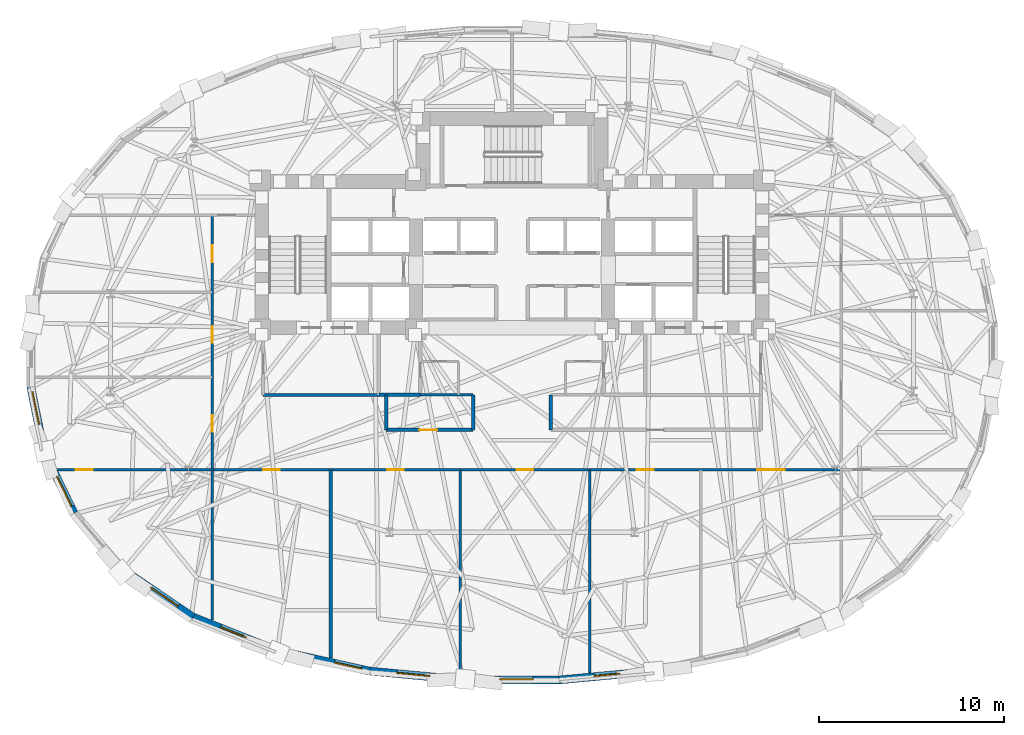
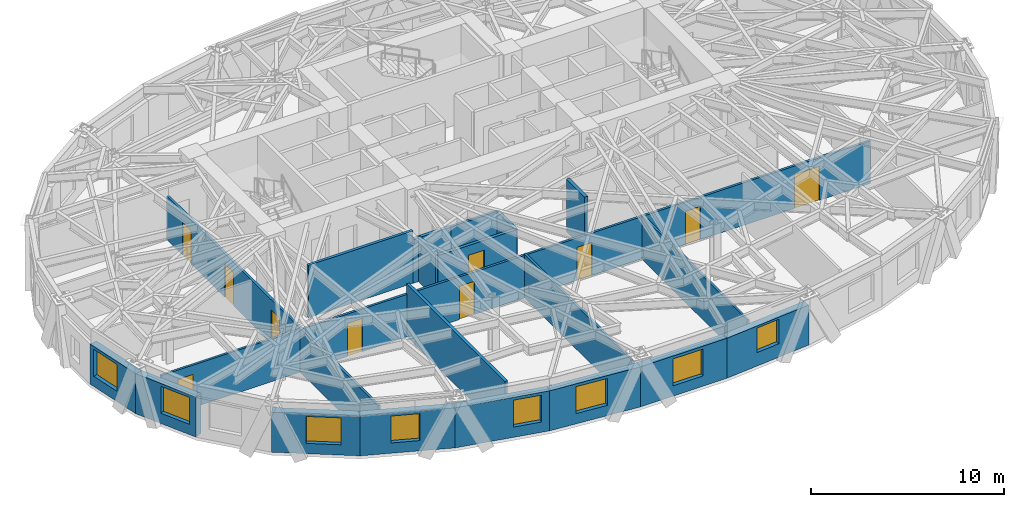
# One storey, part 6 of 14: 21 walls, 10 doors, 8 windows, 18 openings.
"""IFC4 building model written with IfcOpenShell, lengths in metres."""

from ifc_helpers import new_model, si_unit, direction, frame, frame_2d, origin, place, context, subcontext, project, spatial, rectangle, extrude, material, layer, layer_set, type_object, element, fill, save


model = new_model("IFC4")

# Units and contexts
model_context = context("Model", 3, precision=1e-05, world=origin(), true_north=direction((0.0, 1.0)))
body_context = subcontext(model_context, "Body", "Model", "MODEL_VIEW")
ifc_project = project(units=[si_unit("LENGTHUNIT", "METRE"), si_unit("AREAUNIT", "SQUARE_METRE"), si_unit("VOLUMEUNIT", "CUBIC_METRE"), si_unit("PLANEANGLEUNIT", "RADIAN"), si_unit("MASSUNIT", "GRAM", prefix="KILO")], contexts=[model_context])

# Site, building, storey
site_placement = place(None, origin())
site = spatial("IfcSite", under=ifc_project, at=site_placement, CompositionType="ELEMENT")
building_placement = place(site_placement, origin())
building = spatial("IfcBuilding", under=site, at=building_placement, Name="Keldmark Tower", CompositionType="ELEMENT")
storey_placement = place(building_placement, frame((0.0, 0.0, 121.10009765625)))
storey = spatial("IfcBuildingStorey", under=building, at=storey_placement, Name="L32", CompositionType="ELEMENT", Elevation=121.10009765625)

# Wall, openings, doors
ifc_material_1 = material(Name="Acoustic Double-Layer Gypsum Corridor Partition", Category="gypsum")
ifc_layer_1 = layer(ifc_material_1, 0.139892578125)
ifc_layer_set_1 = layer_set([ifc_layer_1], Name="Acoustic Double-Layer Gypsum Corridor Partition")
wall_type_1 = type_object("IfcWallType", Name="Acoustic Corridor Partition 140 mm", PredefinedType="PARTITIONING", material=ifc_layer_set_1)
wall_1_placement = place(storey_placement, frame((-16.199951171875, -6.199951171875, 0.0), z_axis=(0.0, 0.0, 1.0), x_axis=(1.0, 0.0, 0.0)))
wall_1 = element("IfcWall", 1, at=wall_1_placement, inside=storey, type_object=wall_type_1, Name="L32 Acoustic Corridor Partition 140 mm COR-S", PredefinedType="PARTITIONING", context=body_context, shape_type="SweptSolid", body=[
    extrude(rectangle(XDim=34.0, YDim=0.139892578125, at=frame_2d((17.0, 0.0))), origin(), (0.0, 0.0, 1.0), 2.68798828125),
])
opening_1_placement = place(wall_1_placement, frame((2.75, 0.0, 0.0)))
opening_1 = element("IfcOpeningElement", 2, at=opening_1_placement, cuts=wall_1, Name="Opening D-IN090", PredefinedType="OPENING", context=body_context, shape_type="SweptSolid", body=[
    extrude(rectangle(XDim=0.89990234375, YDim=2.10009765625, at=frame_2d((0.449951171875, 1.050048828125))), frame((0.0, 0.079833984375, 0.0), z_axis=(0.0, -1.0, 0.0), x_axis=(1.0, 0.0, 0.0)), (0.0, 0.0, 1.0), 0.159912109375),
])
opening_2_placement = place(wall_1_placement, frame((9.449951171875, 0.0, 0.0)))
opening_2 = element("IfcOpeningElement", 3, at=opening_2_placement, cuts=wall_1, Name="Opening D-IN090", PredefinedType="OPENING", context=body_context, shape_type="SweptSolid", body=[
    extrude(rectangle(XDim=0.89990234375, YDim=2.10009765625, at=frame_2d((0.449951171875, 1.050048828125))), frame((0.0, 0.079833984375, 0.0), z_axis=(0.0, -1.0, 0.0), x_axis=(1.0, 0.0, 0.0)), (0.0, 0.0, 1.0), 0.159912109375),
])
opening_3_placement = place(wall_1_placement, frame((16.449951171875, 0.0, 0.0)))
opening_3 = element("IfcOpeningElement", 4, at=opening_3_placement, cuts=wall_1, Name="Opening D-IN090", PredefinedType="OPENING", context=body_context, shape_type="SweptSolid", body=[
    extrude(rectangle(XDim=0.89990234375, YDim=2.10009765625, at=frame_2d((0.449951171875, 1.050048828125))), frame((0.0, 0.079833984375, 0.0), z_axis=(0.0, -1.0, 0.0), x_axis=(1.0, 0.0, 0.0)), (0.0, 0.0, 1.0), 0.159912109375),
])
opening_4_placement = place(wall_1_placement, frame((22.949951171875, 0.0, 0.0)))
opening_4 = element("IfcOpeningElement", 5, at=opening_4_placement, cuts=wall_1, Name="Opening D-IN090", PredefinedType="OPENING", context=body_context, shape_type="SweptSolid", body=[
    extrude(rectangle(XDim=0.89990234375, YDim=2.10009765625, at=frame_2d((0.449951171875, 1.050048828125))), frame((0.0, 0.079833984375, 0.0), z_axis=(0.0, -1.0, 0.0), x_axis=(1.0, 0.0, 0.0)), (0.0, 0.0, 1.0), 0.159912109375),
])
opening_5_placement = place(wall_1_placement, frame((29.449951171875, 0.0, 0.0)))
opening_5 = element("IfcOpeningElement", 6, at=opening_5_placement, cuts=wall_1, Name="Opening D-CF150", PredefinedType="OPENING", context=body_context, shape_type="SweptSolid", body=[
    extrude(rectangle(XDim=1.5, YDim=2.14990234375, at=frame_2d((0.75, 1.074951171875))), frame((0.0, 0.079833984375, 0.0), z_axis=(0.0, -1.0, 0.0), x_axis=(1.0, 0.0, 0.0)), (0.0, 0.0, 1.0), 0.159912109375),
])
ifc_material_2 = material(Name="Acoustic Timber and Tempered Glass Double Door", Category="wood")
door_type_1 = type_object("IfcDoorType", Name="Conference Double Door 1500x2150", OperationType="DOUBLE_DOOR_SINGLE_SWING", PredefinedType="DOOR", material=ifc_material_2)
door_1_placement = place(opening_5_placement, origin())
door_1 = element("IfcDoor", 7, at=door_1_placement, inside=storey, type_object=door_type_1, Name="L32 Conference Double Door 1500x2150 D-SR-5-L32", OperationType="DOUBLE_DOOR_SINGLE_SWING", OverallHeight=2.14990234375, OverallWidth=1.5, PredefinedType="DOOR", context=body_context, shape_type="SweptSolid", body=[
    extrude(rectangle(XDim=1.5, YDim=2.14990234375, at=frame_2d((0.75, 1.074951171875))), frame((0.0, 0.02490234375, 0.0), z_axis=(0.0, -1.0, 0.0), x_axis=(1.0, 0.0, 0.0)), (0.0, 0.0, 1.0), 0.050048828125),
])
fill(opening_5, door_1)
ifc_material_3 = material(Name="Stained American White Oak Veneer", Category="wood")
door_type_2 = type_object("IfcDoorType", Name="Interior Door 900x2100", OperationType="NOTDEFINED", PredefinedType="DOOR", material=ifc_material_3)
door_2_placement = place(opening_1_placement, origin())
door_2 = element("IfcDoor", 8, at=door_2_placement, inside=storey, type_object=door_type_2, Name="L32 Interior Door 900x2100 D-SR-1-L32", OperationType="SINGLE_SWING_LEFT", OverallHeight=2.10009765625, OverallWidth=0.89990234375, PredefinedType="DOOR", context=body_context, shape_type="SweptSolid", body=[
    extrude(rectangle(XDim=0.89990234375, YDim=2.10009765625, at=frame_2d((0.449951171875, 1.050048828125))), frame((0.0, 0.02490234375, 0.0), z_axis=(0.0, -1.0, 0.0), x_axis=(1.0, 0.0, 0.0)), (0.0, 0.0, 1.0), 0.050048828125),
])
fill(opening_1, door_2)
door_3_placement = place(opening_2_placement, origin())
door_3 = element("IfcDoor", 9, at=door_3_placement, inside=storey, type_object=door_type_2, Name="L32 Interior Door 900x2100 D-SR-2-L32", OperationType="SINGLE_SWING_RIGHT", OverallHeight=2.10009765625, OverallWidth=0.89990234375, PredefinedType="DOOR", context=body_context, shape_type="SweptSolid", body=[
    extrude(rectangle(XDim=0.89990234375, YDim=2.10009765625, at=frame_2d((0.449951171875, 1.050048828125))), frame((0.0, 0.02490234375, 0.0), z_axis=(0.0, -1.0, 0.0), x_axis=(1.0, 0.0, 0.0)), (0.0, 0.0, 1.0), 0.050048828125),
])
fill(opening_2, door_3)
door_4_placement = place(opening_3_placement, origin())
door_4 = element("IfcDoor", 10, at=door_4_placement, inside=storey, type_object=door_type_2, Name="L32 Interior Door 900x2100 D-SR-3-L32", OperationType="SINGLE_SWING_LEFT", OverallHeight=2.10009765625, OverallWidth=0.89990234375, PredefinedType="DOOR", context=body_context, shape_type="SweptSolid", body=[
    extrude(rectangle(XDim=0.89990234375, YDim=2.10009765625, at=frame_2d((0.449951171875, 1.050048828125))), frame((0.0, 0.02490234375, 0.0), z_axis=(0.0, -1.0, 0.0), x_axis=(1.0, 0.0, 0.0)), (0.0, 0.0, 1.0), 0.050048828125),
])
fill(opening_3, door_4)
door_5_placement = place(opening_4_placement, origin())
door_5 = element("IfcDoor", 11, at=door_5_placement, inside=storey, type_object=door_type_2, Name="L32 Interior Door 900x2100 D-SR-4-L32", OperationType="SINGLE_SWING_RIGHT", OverallHeight=2.10009765625, OverallWidth=0.89990234375, PredefinedType="DOOR", context=body_context, shape_type="SweptSolid", body=[
    extrude(rectangle(XDim=0.89990234375, YDim=2.10009765625, at=frame_2d((0.449951171875, 1.050048828125))), frame((0.0, 0.02490234375, 0.0), z_axis=(0.0, -1.0, 0.0), x_axis=(1.0, 0.0, 0.0)), (0.0, 0.0, 1.0), 0.050048828125),
])
fill(opening_4, door_5)

wall_2_placement = place(storey_placement, frame((-16.199951171875, -14.3271484375, 0.0), z_axis=(0.0, 0.0, 1.0), x_axis=(0.0, 1.0, 0.0)))
wall_2 = element("IfcWall", 12, at=wall_2_placement, inside=storey, type_object=wall_type_1, Name="L32 Acoustic Corridor Partition 140 mm COR-W", PredefinedType="PARTITIONING", context=body_context, shape_type="SweptSolid", body=[
    extrude(rectangle(XDim=21.877197265625, YDim=0.139892578125, at=frame_2d((10.9384765625, 0.0))), origin(), (0.0, 0.0, 1.0), 2.762939453125),
])
opening_6_placement = place(wall_2_placement, frame((10.177490234375, 0.0, 0.0)))
opening_6 = element("IfcOpeningElement", 13, at=opening_6_placement, cuts=wall_2, Name="Opening D-IN090", PredefinedType="OPENING", context=body_context, shape_type="SweptSolid", body=[
    extrude(rectangle(XDim=0.89990234375, YDim=2.10009765625, at=frame_2d((0.449951171875, 1.050048828125))), frame((0.0, 0.079833984375, 0.0), z_axis=(0.0, -1.0, 0.0), x_axis=(1.0, 0.0, 0.0)), (0.0, 0.0, 1.0), 0.159912109375),
])
opening_7_placement = place(wall_2_placement, frame((14.9775390625, 0.0, 0.0)))
opening_7 = element("IfcOpeningElement", 14, at=opening_7_placement, cuts=wall_2, Name="Opening D-IN090", PredefinedType="OPENING", context=body_context, shape_type="SweptSolid", body=[
    extrude(rectangle(XDim=0.89990234375, YDim=2.10009765625, at=frame_2d((0.449951171875, 1.050048828125))), frame((0.0, 0.079833984375, 0.0), z_axis=(0.0, -1.0, 0.0), x_axis=(1.0, 0.0, 0.0)), (0.0, 0.0, 1.0), 0.159912109375),
])
opening_8_placement = place(wall_2_placement, frame((19.3525390625, 0.0, 0.0)))
opening_8 = element("IfcOpeningElement", 15, at=opening_8_placement, cuts=wall_2, Name="Opening D-IN090", PredefinedType="OPENING", context=body_context, shape_type="SweptSolid", body=[
    extrude(rectangle(XDim=0.89990234375, YDim=2.10009765625, at=frame_2d((0.449951171875, 1.050048828125))), frame((0.0, 0.079833984375, 0.0), z_axis=(0.0, -1.0, 0.0), x_axis=(1.0, 0.0, 0.0)), (0.0, 0.0, 1.0), 0.159912109375),
])
door_6_placement = place(opening_6_placement, origin())
door_6 = element("IfcDoor", 16, at=door_6_placement, inside=storey, type_object=door_type_2, Name="L32 Interior Door 900x2100 D-WR-1-L32", OperationType="SINGLE_SWING_LEFT", OverallHeight=2.10009765625, OverallWidth=0.89990234375, PredefinedType="DOOR", context=body_context, shape_type="SweptSolid", body=[
    extrude(rectangle(XDim=0.89990234375, YDim=2.10009765625, at=frame_2d((0.449951171875, 1.050048828125))), frame((0.0, 0.02490234375, 0.0), z_axis=(0.0, -1.0, 0.0), x_axis=(1.0, 0.0, 0.0)), (0.0, 0.0, 1.0), 0.050048828125),
])
fill(opening_6, door_6)
door_7_placement = place(opening_7_placement, origin())
door_7 = element("IfcDoor", 17, at=door_7_placement, inside=storey, type_object=door_type_2, Name="L32 Interior Door 900x2100 D-WR-2-L32", OperationType="SINGLE_SWING_RIGHT", OverallHeight=2.10009765625, OverallWidth=0.89990234375, PredefinedType="DOOR", context=body_context, shape_type="SweptSolid", body=[
    extrude(rectangle(XDim=0.89990234375, YDim=2.10009765625, at=frame_2d((0.449951171875, 1.050048828125))), frame((0.0, 0.02490234375, 0.0), z_axis=(0.0, -1.0, 0.0), x_axis=(1.0, 0.0, 0.0)), (0.0, 0.0, 1.0), 0.050048828125),
])
fill(opening_7, door_7)
door_8_placement = place(opening_8_placement, origin())
door_8 = element("IfcDoor", 18, at=door_8_placement, inside=storey, type_object=door_type_2, Name="L32 Interior Door 900x2100 D-WR-3-L32", OperationType="SINGLE_SWING_LEFT", OverallHeight=2.10009765625, OverallWidth=0.89990234375, PredefinedType="DOOR", context=body_context, shape_type="SweptSolid", body=[
    extrude(rectangle(XDim=0.89990234375, YDim=2.10009765625, at=frame_2d((0.449951171875, 1.050048828125))), frame((0.0, 0.02490234375, 0.0), z_axis=(0.0, -1.0, 0.0), x_axis=(1.0, 0.0, 0.0)), (0.0, 0.0, 1.0), 0.050048828125),
])
fill(opening_8, door_8)

# Wall
ifc_material_4 = material(Name="STC-58 Insulated Tenant Demising Gypsum Partition", Category="gypsum")
ifc_layer_2 = layer(ifc_material_4, 0.175048828125)
ifc_layer_set_2 = layer_set([ifc_layer_2], Name="STC-58 Insulated Tenant Demising Gypsum Partition")
wall_type_2 = type_object("IfcWallType", Name="Demising Suite Partition 175 mm", PredefinedType="PARTITIONING", material=ifc_layer_set_2)
wall_3_placement = place(storey_placement, frame((-9.800048828125, -16.3798828125, 0.0), z_axis=(0.0, 0.0, 1.0), x_axis=(0.0, 1.0, 0.0)))
element("IfcWall", 19, at=wall_3_placement, inside=storey, type_object=wall_type_2, Name="L32 Demising Suite Partition 175 mm S-DIV-1", PredefinedType="PARTITIONING", context=body_context, shape_type="SweptSolid", body=[
    extrude(rectangle(XDim=10.179931640625, YDim=0.175048828125, at=frame_2d((5.08984375, 0.0))), origin(), (0.0, 0.0, 1.0), 3.309814453125),
])

# Wall, opening, door
ifc_material_5 = material(Name="Heavy Acoustic Plumbing Chase Gypsum Assembly", Category="gypsum")
ifc_layer_3 = layer(ifc_material_5, 0.18994140625)
ifc_layer_set_3 = layer_set([ifc_layer_3], Name="Heavy Acoustic Plumbing Chase Gypsum Assembly")
wall_type_3 = type_object("IfcWallType", Name="Heavy Wet Wall 190 mm", PredefinedType="PLUMBINGWALL", material=ifc_layer_set_3)
wall_4_placement = place(storey_placement, frame((-6.800048828125, -4.050048828125, 0.0), z_axis=(0.0, 0.0, 1.0), x_axis=(1.0, 0.0, 0.0)))
wall_4 = element("IfcWall", 20, at=wall_4_placement, inside=storey, type_object=wall_type_3, Name="L32 Heavy Wet Wall 190 mm SPK-W-S", PredefinedType="PLUMBINGWALL", context=body_context, shape_type="SweptSolid", body=[
    extrude(rectangle(XDim=4.699951171875, YDim=0.18994140625, at=frame_2d((2.35009765625, 0.0))), origin(), (0.0, 0.0, 1.0), 2.762939453125),
])
opening_9_placement = place(wall_4_placement, frame((1.800048828125, 0.0, 0.0)))
opening_9 = element("IfcOpeningElement", 21, at=opening_9_placement, cuts=wall_4, Name="Opening D-AWC95", PredefinedType="OPENING", context=body_context, shape_type="SweptSolid", body=[
    extrude(rectangle(XDim=0.949951171875, YDim=2.14990234375, at=frame_2d((0.47509765625, 1.074951171875))), frame((0.0, 0.10498046875, 0.0), z_axis=(0.0, -1.0, 0.0), x_axis=(1.0, 0.0, 0.0)), (0.0, 0.0, 1.0), 0.2099609375),
])
ifc_material_6 = material(Name="Painted Solid-Core Architectural Wood", Category="wood")
door_type_3 = type_object("IfcDoorType", Name="Accessible WC Door 950x2150", OperationType="NOTDEFINED", PredefinedType="DOOR", material=ifc_material_6)
door_9_placement = place(opening_9_placement, origin())
door_9 = element("IfcDoor", 22, at=door_9_placement, inside=storey, type_object=door_type_3, Name="L32 Accessible WC Door 950x2150 D-SPKW1-L32", OperationType="SINGLE_SWING_LEFT", OverallHeight=2.14990234375, OverallWidth=0.949951171875, PredefinedType="DOOR", context=body_context, shape_type="SweptSolid", body=[
    extrude(rectangle(XDim=0.949951171875, YDim=2.14990234375, at=frame_2d((0.47509765625, 1.074951171875))), frame((0.0, 0.02490234375, 0.0), z_axis=(0.0, -1.0, 0.0), x_axis=(1.0, 0.0, 0.0)), (0.0, 0.0, 1.0), 0.050048828125),
])
fill(opening_9, door_9)

# Walls
for number, where, z_axis, x_axis, name in (
    (23, (-6.800048828125, -4.050048828125, 0.0), (0.0, 0.0, 1.0), (0.0, 1.0, 0.0), "L32 Heavy Wet Wall 190 mm SPK-W-W"),
    (24, (-2.10009765625, -4.050048828125, 0.0), (0.0, 0.0, 1.0), (0.0, 1.0, 0.0), "L32 Heavy Wet Wall 190 mm SPK-W-E"),
):
    element("IfcWall", number, at=place(storey_placement, frame(where, z_axis=z_axis, x_axis=x_axis)), inside=storey, type_object=wall_type_3, Name=name, PredefinedType="PLUMBINGWALL", context=body_context, shape_type="SweptSolid", body=[
        extrude(rectangle(XDim=1.900146484375, YDim=0.18994140625, at=frame_2d((0.9501953125, 0.0))), origin(), (0.0, 0.0, 1.0), 2.762939453125),
    ])
wall_5_placement = place(storey_placement, frame((2.10009765625, -4.050048828125, 0.0), z_axis=(0.0, 0.0, 1.0), x_axis=(0.0, 1.0, 0.0)))
element("IfcWall", 25, at=wall_5_placement, inside=storey, type_object=wall_type_3, Name="L32 Heavy Wet Wall 190 mm SPK-E-W", PredefinedType="PLUMBINGWALL", context=body_context, shape_type="SweptSolid", body=[
    extrude(rectangle(XDim=1.900146484375, YDim=0.18994140625, at=frame_2d((0.9501953125, 0.0))), origin(), (0.0, 0.0, 1.0), 3.309814453125),
])
ifc_material_7 = material(Name="Acoustic Gypsum Board Interior Partition", Category="gypsum")
ifc_layer_4 = layer(ifc_material_7, 0.1298828125)
ifc_layer_set_4 = layer_set([ifc_layer_4], Name="Acoustic Gypsum Board Interior Partition")
wall_type_4 = type_object("IfcWallType", Name="Interior Partition 130 mm", PredefinedType="PARTITIONING", material=ifc_layer_set_4)
wall_6_placement = place(storey_placement, frame((-2.800048828125, -17.308837890625, 0.0), z_axis=(0.0, 0.0, 1.0), x_axis=(0.0, 1.0, 0.0)))
element("IfcWall", 26, at=wall_6_placement, inside=storey, type_object=wall_type_4, Name="L32 Interior Partition 130 mm S-DIV-2", PredefinedType="PARTITIONING", context=body_context, shape_type="SweptSolid", body=[
    extrude(rectangle(XDim=11.10888671875, YDim=0.1298828125, at=frame_2d((5.554443359375, 0.0))), origin(), (0.0, 0.0, 1.0), 2.762939453125),
])
wall_7_placement = place(storey_placement, frame((4.199951171875, -17.17822265625, 0.0), z_axis=(0.0, 0.0, 1.0), x_axis=(0.0, 1.0, 0.0)))
element("IfcWall", 27, at=wall_7_placement, inside=storey, type_object=wall_type_4, Name="L32 Interior Partition 130 mm S-DIV-3", PredefinedType="PARTITIONING", context=body_context, shape_type="SweptSolid", body=[
    extrude(rectangle(XDim=10.978271484375, YDim=0.1298828125, at=frame_2d((5.4892578125, 0.0))), origin(), (0.0, 0.0, 1.0), 2.762939453125),
])

# Wall, opening, door
wall_8_placement = place(storey_placement, frame((-24.554443359375, -6.199951171875, 0.0), z_axis=(0.0, 0.0, 1.0), x_axis=(1.0, 0.0, 0.0)))
wall_8 = element("IfcWall", 28, at=wall_8_placement, inside=storey, type_object=wall_type_4, Name="L32 Interior Partition 130 mm W-CAP-S", PredefinedType="PARTITIONING", context=body_context, shape_type="SweptSolid", body=[
    extrude(rectangle(XDim=8.3544921875, YDim=0.1298828125, at=frame_2d((4.17724609375, 0.0))), origin(), (0.0, 0.0, 1.0), 2.68798828125),
])
opening_10_placement = place(wall_8_placement, frame((0.989990234375, 0.0, 0.0)))
opening_10 = element("IfcOpeningElement", 29, at=opening_10_placement, cuts=wall_8, Name="Opening D-IN090", PredefinedType="OPENING", context=body_context, shape_type="SweptSolid", body=[
    extrude(rectangle(XDim=0.89990234375, YDim=2.10009765625, at=frame_2d((0.449951171875, 1.050048828125))), frame((0.0, 0.074951171875, 0.0), z_axis=(0.0, -1.0, 0.0), x_axis=(1.0, 0.0, 0.0)), (0.0, 0.0, 1.0), 0.14990234375),
])
door_10_placement = place(opening_10_placement, origin())
door_10 = element("IfcDoor", 30, at=door_10_placement, inside=storey, type_object=door_type_2, Name="L32 Interior Door 900x2100 D-WRSW-L32", OperationType="SINGLE_SWING_LEFT", OverallHeight=2.10009765625, OverallWidth=0.89990234375, PredefinedType="DOOR", context=body_context, shape_type="SweptSolid", body=[
    extrude(rectangle(XDim=0.89990234375, YDim=2.10009765625, at=frame_2d((0.449951171875, 1.050048828125))), frame((0.0, 0.02490234375, 0.0), z_axis=(0.0, -1.0, 0.0), x_axis=(1.0, 0.0, 0.0)), (0.0, 0.0, 1.0), 0.050048828125),
])
fill(opening_10, door_10)

# Walls
ifc_material_8 = material(Name="Type X Fire-Rated Gypsum Partition Assembly", Category="gypsum")
ifc_layer_5 = layer(ifc_material_8, 0.1650390625)
ifc_layer_set_5 = layer_set([ifc_layer_5], Name="Type X Fire-Rated Gypsum Partition Assembly")
wall_type_5 = type_object("IfcWallType", Name="Rated Partition 165 mm", PredefinedType="PARTITIONING", material=ifc_layer_set_5)
wall_9_placement = place(storey_placement, frame((-13.449951171875, -2.14990234375, 0.0), z_axis=(0.0, 0.0, 1.0), x_axis=(1.0, 0.0, 0.0)))
element("IfcWall", 31, at=wall_9_placement, inside=storey, type_object=wall_type_5, Name="L32 Rated Partition 165 mm FSAE-W-S", PredefinedType="PARTITIONING", context=body_context, shape_type="SweptSolid", body=[
    extrude(rectangle(XDim=6.25, YDim=0.1650390625, at=frame_2d((3.125, 0.0))), origin(), (0.0, 0.0, 1.0), 3.309814453125),
])
ifc_material_9 = material(Name="Fire-Resistant Type X Gypsum Shaftliner Coreboard", Category="gypsum")
ifc_layer_6 = layer(ifc_material_9, 0.199951171875)
ifc_layer_set_6 = layer_set([ifc_layer_6], Name="Fire-Resistant Type X Gypsum Shaftliner Coreboard")
wall_type_6 = type_object("IfcWallType", Name="Shaft Wall 200 mm", PredefinedType="SOLIDWALL", material=ifc_layer_set_6)
wall_10_placement = place(storey_placement, frame((-7.199951171875, -2.14990234375, 0.0), z_axis=(0.0, 0.0, 1.0), x_axis=(1.0, 0.0, 0.0)))
element("IfcWall", 32, at=wall_10_placement, inside=storey, type_object=wall_type_6, Name="L32 Shaft Wall 200 mm RIS-SW-S", PredefinedType="SOLIDWALL", context=body_context, shape_type="SweptSolid", body=[
    extrude(rectangle(XDim=2.25, YDim=0.199951171875, at=frame_2d((1.125, 0.0))), origin(), (0.0, 0.0, 1.0), 2.762939453125),
])

# Wall, opening, window
ifc_material_10 = material(Name="Ironspot Manganese Brick and Kasota Buff Limestone Spandrel Assembly", Category="masonry")
ifc_layer_7 = layer(ifc_material_10, 0.43994140625)
ifc_layer_set_7 = layer_set([ifc_layer_7], Name="Ironspot Manganese Brick and Kasota Buff Limestone Spandrel Assembly")
wall_type_7 = type_object("IfcWallType", Name="Tower Brick Pier and Spandrel Wall 440 mm", PredefinedType="STANDARD", material=ifc_layer_set_7)
wall_11_placement = place(storey_placement, frame((-25.298583984375, -5.20361328125, 0.0), z_axis=(0.0, 0.0, 1.0), x_axis=(-0.198813443609, 0.980037353696, 0.0)))
wall_11 = element("IfcWall", 33, at=wall_11_placement, inside=storey, type_object=wall_type_7, Name="L32 Exterior Brick and Spandrel Wall 17", PredefinedType="STANDARD", context=body_context, shape_type="SweptSolid", body=[
    extrude(rectangle(XDim=3.5673828125, YDim=0.43994140625, at=frame_2d((1.78369140625, 0.0))), origin(), (0.0, 0.0, 1.0), 2.52783203125),
])
opening_11_placement = place(wall_11_placement, frame((1.4697265625, 0.0, 0.64990234375)))
opening_11 = element("IfcOpeningElement", 34, at=opening_11_placement, cuts=wall_11, Name="Opening W-02", PredefinedType="OPENING", context=body_context, shape_type="SweptSolid", body=[
    extrude(rectangle(XDim=1.800048828125, YDim=1.699951171875, at=frame_2d((0.89990234375, 0.85009765625))), frame((0.0, 0.22998046875, 0.0), z_axis=(0.0, -1.0, 0.0), x_axis=(1.0, 0.0, 0.0)), (0.0, 0.0, 1.0), 0.4599609375),
])
ifc_material_11 = material(Name="Thermally Broken Anodized Aluminum and Triple Low-E Argon Glazing", Category="aluminium")
window_type_1 = type_object("IfcWindowType", Name="Office Deep-Set Triple Window 1800x1700", PartitioningType="TRIPLE_PANEL_VERTICAL", PredefinedType="WINDOW", material=ifc_material_11)
window_1_placement = place(opening_11_placement, origin())
window_1 = element("IfcWindow", 35, at=window_1_placement, inside=storey, type_object=window_type_1, Name="L32 Deep-Set Window 17", OverallHeight=1.699951171875, OverallWidth=1.800048828125, PartitioningType="SINGLE_PANEL", PredefinedType="WINDOW", context=body_context, shape_type="SweptSolid", body=[
    extrude(rectangle(XDim=1.800048828125, YDim=1.699951171875, at=frame_2d((0.89990234375, 0.85009765625))), frame((0.0, -0.010009765625, 0.0), z_axis=(0.0, -1.0, 0.0), x_axis=(1.0, 0.0, 0.0)), (0.0, 0.0, 1.0), 0.06005859375),
])
fill(opening_11, window_1)

wall_12_placement = place(storey_placement, frame((-23.66748046875, -8.552490234375, 0.0), z_axis=(0.0, 0.0, 1.0), x_axis=(-0.43625131955, 0.899824864177, 0.0)))
wall_12 = element("IfcWall", 36, at=wall_12_placement, inside=storey, type_object=wall_type_7, Name="L32 Exterior Brick and Spandrel Wall 18", PredefinedType="STANDARD", context=body_context, shape_type="SweptSolid", body=[
    extrude(rectangle(XDim=3.77978515625, YDim=0.43994140625, at=frame_2d((1.889892578125, 0.0))), origin(), (0.0, 0.0, 1.0), 2.52783203125),
])
opening_12_placement = place(wall_12_placement, frame((0.3974609375, 0.0, 0.64990234375)))
opening_12 = element("IfcOpeningElement", 37, at=opening_12_placement, cuts=wall_12, Name="Opening W-02", PredefinedType="OPENING", context=body_context, shape_type="SweptSolid", body=[
    extrude(rectangle(XDim=1.800048828125, YDim=1.699951171875, at=frame_2d((0.89990234375, 0.85009765625))), frame((0.0, 0.22998046875, 0.0), z_axis=(0.0, -1.0, 0.0), x_axis=(1.0, 0.0, 0.0)), (0.0, 0.0, 1.0), 0.4599609375),
])
window_2_placement = place(opening_12_placement, origin())
window_2 = element("IfcWindow", 38, at=window_2_placement, inside=storey, type_object=window_type_1, Name="L32 Deep-Set Window 18", OverallHeight=1.699951171875, OverallWidth=1.800048828125, PartitioningType="SINGLE_PANEL", PredefinedType="WINDOW", context=body_context, shape_type="SweptSolid", body=[
    extrude(rectangle(XDim=1.800048828125, YDim=1.699951171875, at=frame_2d((0.89990234375, 0.85009765625))), frame((0.0, -0.010009765625, 0.0), z_axis=(0.0, -1.0, 0.0), x_axis=(1.0, 0.0, 0.0)), (0.0, 0.0, 1.0), 0.06005859375),
])
fill(opening_12, window_2)

wall_13_placement = place(storey_placement, frame((-17.241455078125, -14.16357421875, 0.0), z_axis=(0.0, 0.0, 1.0), x_axis=(-0.827707240431, 0.56116015908, 0.0)))
wall_13 = element("IfcWall", 39, at=wall_13_placement, inside=storey, type_object=wall_type_7, Name="L32 Exterior Brick and Spandrel Wall 20", PredefinedType="STANDARD", context=body_context, shape_type="SweptSolid", body=[
    extrude(rectangle(XDim=4.584228515625, YDim=0.43994140625, at=frame_2d((2.2919921875, 0.0))), origin(), (0.0, 0.0, 1.0), 2.52783203125),
])
opening_13_placement = place(wall_13_placement, frame((0.99462890625, 0.0, 0.64990234375)))
opening_13 = element("IfcOpeningElement", 40, at=opening_13_placement, cuts=wall_13, Name="Opening W-02", PredefinedType="OPENING", context=body_context, shape_type="SweptSolid", body=[
    extrude(rectangle(XDim=1.800048828125, YDim=1.699951171875, at=frame_2d((0.89990234375, 0.85009765625))), frame((0.0, 0.22998046875, 0.0), z_axis=(0.0, -1.0, 0.0), x_axis=(1.0, 0.0, 0.0)), (0.0, 0.0, 1.0), 0.4599609375),
])
window_3_placement = place(opening_13_placement, origin())
window_3 = element("IfcWindow", 41, at=window_3_placement, inside=storey, type_object=window_type_1, Name="L32 Deep-Set Window 20", OverallHeight=1.699951171875, OverallWidth=1.800048828125, PartitioningType="SINGLE_PANEL", PredefinedType="WINDOW", context=body_context, shape_type="SweptSolid", body=[
    extrude(rectangle(XDim=1.800048828125, YDim=1.699951171875, at=frame_2d((0.89990234375, 0.85009765625))), frame((0.0, -0.010009765625, 0.0), z_axis=(0.0, -1.0, 0.0), x_axis=(1.0, 0.0, 0.0)), (0.0, 0.0, 1.0), 0.06005859375),
])
fill(opening_13, window_3)

wall_14_placement = place(storey_placement, frame((-12.6748046875, -15.975830078125, 0.0), z_axis=(0.0, 0.0, 1.0), x_axis=(-0.929089765506, 0.369854305953, 0.0)))
wall_14 = element("IfcWall", 42, at=wall_14_placement, inside=storey, type_object=wall_type_7, Name="L32 Exterior Brick and Spandrel Wall 21", PredefinedType="STANDARD", context=body_context, shape_type="SweptSolid", body=[
    extrude(rectangle(XDim=4.960693359375, YDim=0.43994140625, at=frame_2d((2.48046875, 0.0))), origin(), (0.0, 0.0, 1.0), 2.52783203125),
])
opening_14_placement = place(wall_14_placement, frame((1.828857421875, 0.0, 0.64990234375)))
opening_14 = element("IfcOpeningElement", 43, at=opening_14_placement, cuts=wall_14, Name="Opening W-03", PredefinedType="OPENING", context=body_context, shape_type="SweptSolid", body=[
    extrude(rectangle(XDim=1.5, YDim=1.699951171875, at=frame_2d((0.75, 0.85009765625))), frame((0.0, 0.22998046875, 0.0), z_axis=(0.0, -1.0, 0.0), x_axis=(1.0, 0.0, 0.0)), (0.0, 0.0, 1.0), 0.4599609375),
])
ifc_material_12 = material(Name="Thermally Broken Anodized Aluminum and Triple Low-E Argon Glazing", Category="aluminium")
window_type_2 = type_object("IfcWindowType", Name="Office Corner Deep-Set Window 1500x1700", PartitioningType="DOUBLE_PANEL_VERTICAL", PredefinedType="WINDOW", material=ifc_material_12)
window_4_placement = place(opening_14_placement, origin())
window_4 = element("IfcWindow", 44, at=window_4_placement, inside=storey, type_object=window_type_2, Name="L32 Deep-Set Window 21", OverallHeight=1.699951171875, OverallWidth=1.5, PartitioningType="SINGLE_PANEL", PredefinedType="WINDOW", context=body_context, shape_type="SweptSolid", body=[
    extrude(rectangle(XDim=1.5, YDim=1.699951171875, at=frame_2d((0.75, 0.85009765625))), frame((0.0, -0.010009765625, 0.0), z_axis=(0.0, -1.0, 0.0), x_axis=(1.0, 0.0, 0.0)), (0.0, 0.0, 1.0), 0.06005859375),
])
fill(opening_14, window_4)

wall_15_placement = place(storey_placement, frame((-7.69189453125, -17.08349609375, 0.0), z_axis=(0.0, 0.0, 1.0), x_axis=(-0.976058355685, 0.217508818896, 0.0)))
wall_15 = element("IfcWall", 45, at=wall_15_placement, inside=storey, type_object=wall_type_7, Name="L32 Exterior Brick and Spandrel Wall 22", PredefinedType="STANDARD", context=body_context, shape_type="SweptSolid", body=[
    extrude(rectangle(XDim=5.1396484375, YDim=0.43994140625, at=frame_2d((2.56982421875, 0.0))), origin(), (0.0, 0.0, 1.0), 2.52783203125),
])
opening_15_placement = place(wall_15_placement, frame((0.44921875, 0.0, 0.64990234375)))
opening_15 = element("IfcOpeningElement", 46, at=opening_15_placement, cuts=wall_15, Name="Opening W-03", PredefinedType="OPENING", context=body_context, shape_type="SweptSolid", body=[
    extrude(rectangle(XDim=1.5, YDim=1.699951171875, at=frame_2d((0.75, 0.85009765625))), frame((0.0, 0.22998046875, 0.0), z_axis=(0.0, -1.0, 0.0), x_axis=(1.0, 0.0, 0.0)), (0.0, 0.0, 1.0), 0.4599609375),
])
window_5_placement = place(opening_15_placement, origin())
window_5 = element("IfcWindow", 47, at=window_5_placement, inside=storey, type_object=window_type_2, Name="L32 Deep-Set Window 22", OverallHeight=1.699951171875, OverallWidth=1.5, PartitioningType="SINGLE_PANEL", PredefinedType="WINDOW", context=body_context, shape_type="SweptSolid", body=[
    extrude(rectangle(XDim=1.5, YDim=1.699951171875, at=frame_2d((0.75, 0.85009765625))), frame((0.0, -0.010009765625, 0.0), z_axis=(0.0, -1.0, 0.0), x_axis=(1.0, 0.0, 0.0)), (0.0, 0.0, 1.0), 0.06005859375),
])
fill(opening_15, window_5)

wall_16_placement = place(storey_placement, frame((-2.5625, -17.559814453125, 0.0), z_axis=(0.0, 0.0, 1.0), x_axis=(-0.995683099415, 0.092817916047, 0.0)))
wall_16 = element("IfcWall", 48, at=wall_16_placement, inside=storey, type_object=wall_type_7, Name="L32 Exterior Brick and Spandrel Wall 23", PredefinedType="STANDARD", context=body_context, shape_type="SweptSolid", body=[
    extrude(rectangle(XDim=5.17919921875, YDim=0.43994140625, at=frame_2d((2.589599609375, 0.0))), origin(), (0.0, 0.0, 1.0), 2.52783203125),
])
opening_16_placement = place(wall_16_placement, frame((1.88818359375, 0.0, 0.64990234375)))
opening_16 = element("IfcOpeningElement", 49, at=opening_16_placement, cuts=wall_16, Name="Opening W-02", PredefinedType="OPENING", context=body_context, shape_type="SweptSolid", body=[
    extrude(rectangle(XDim=1.800048828125, YDim=1.699951171875, at=frame_2d((0.89990234375, 0.85009765625))), frame((0.0, 0.22998046875, 0.0), z_axis=(0.0, -1.0, 0.0), x_axis=(1.0, 0.0, 0.0)), (0.0, 0.0, 1.0), 0.4599609375),
])
window_6_placement = place(opening_16_placement, origin())
window_6 = element("IfcWindow", 50, at=window_6_placement, inside=storey, type_object=window_type_1, Name="L32 Deep-Set Window 23", OverallHeight=1.699951171875, OverallWidth=1.800048828125, PartitioningType="SINGLE_PANEL", PredefinedType="WINDOW", context=body_context, shape_type="SweptSolid", body=[
    extrude(rectangle(XDim=1.800048828125, YDim=1.699951171875, at=frame_2d((0.89990234375, 0.85009765625))), frame((0.0, -0.010009765625, 0.0), z_axis=(0.0, -1.0, 0.0), x_axis=(1.0, 0.0, 0.0)), (0.0, 0.0, 1.0), 0.06005859375),
])
fill(opening_16, window_6)

wall_17_placement = place(storey_placement, frame((2.582763671875, -17.558837890625, 0.0), z_axis=(0.0, 0.0, 1.0), x_axis=(-1.0, 0.0, 0.0)))
wall_17 = element("IfcWall", 51, at=wall_17_placement, inside=storey, type_object=wall_type_7, Name="L32 Exterior Brick and Spandrel Wall 24", PredefinedType="STANDARD", context=body_context, shape_type="SweptSolid", body=[
    extrude(rectangle(XDim=5.16552734375, YDim=0.43994140625, at=frame_2d((2.582763671875, 0.0))), origin(), (0.0, 0.0, 1.0), 2.52783203125),
])
opening_17_placement = place(wall_17_placement, frame((1.435791015625, 0.0, 0.64990234375)))
opening_17 = element("IfcOpeningElement", 52, at=opening_17_placement, cuts=wall_17, Name="Opening W-02", PredefinedType="OPENING", context=body_context, shape_type="SweptSolid", body=[
    extrude(rectangle(XDim=1.800048828125, YDim=1.699951171875, at=frame_2d((0.89990234375, 0.85009765625))), frame((0.0, 0.22998046875, 0.0), z_axis=(0.0, -1.0, 0.0), x_axis=(1.0, 0.0, 0.0)), (0.0, 0.0, 1.0), 0.4599609375),
])
window_7_placement = place(opening_17_placement, origin())
window_7 = element("IfcWindow", 53, at=window_7_placement, inside=storey, type_object=window_type_1, Name="L32 Deep-Set Window 24", OverallHeight=1.699951171875, OverallWidth=1.800048828125, PartitioningType="SINGLE_PANEL", PredefinedType="WINDOW", context=body_context, shape_type="SweptSolid", body=[
    extrude(rectangle(XDim=1.800048828125, YDim=1.699951171875, at=frame_2d((0.89990234375, 0.85009765625))), frame((0.0, -0.010009765625, 0.0), z_axis=(0.0, -1.0, 0.0), x_axis=(1.0, 0.0, 0.0)), (0.0, 0.0, 1.0), 0.06005859375),
])
fill(opening_17, window_7)

wall_18_placement = place(storey_placement, frame((7.71923828125, -17.0791015625, 0.0), z_axis=(0.0, 0.0, 1.0), x_axis=(-0.995683099415, -0.092817916047, 0.0)))
wall_18 = element("IfcWall", 54, at=wall_18_placement, inside=storey, type_object=wall_type_7, Name="L32 Exterior Brick and Spandrel Wall 25", PredefinedType="STANDARD", context=body_context, shape_type="SweptSolid", body=[
    extrude(rectangle(XDim=5.17919921875, YDim=0.43994140625, at=frame_2d((2.589599609375, 0.0))), origin(), (0.0, 0.0, 1.0), 2.52783203125),
])
opening_18_placement = place(wall_18_placement, frame((1.8896484375, 0.0, 0.85009765625)))
opening_18 = element("IfcOpeningElement", 55, at=opening_18_placement, cuts=wall_18, Name="Opening W-08", PredefinedType="OPENING", context=body_context, shape_type="SweptSolid", body=[
    extrude(rectangle(XDim=1.39990234375, YDim=1.550048828125, at=frame_2d((0.699951171875, 0.77490234375))), frame((0.0, 0.22998046875, 0.0), z_axis=(0.0, -1.0, 0.0), x_axis=(1.0, 0.0, 0.0)), (0.0, 0.0, 1.0), 0.4599609375),
])
ifc_material_13 = material(Name="Thermally Broken Anodized Aluminum and Triple Low-E Argon Glazing", Category="aluminium")
window_type_3 = type_object("IfcWindowType", Name="Residential Corner Punched Window 1400x1550", PartitioningType="SINGLE_PANEL", PredefinedType="WINDOW", material=ifc_material_13)
window_8_placement = place(opening_18_placement, origin())
window_8 = element("IfcWindow", 56, at=window_8_placement, inside=storey, type_object=window_type_3, Name="L32 Deep-Set Window 25", OverallHeight=1.550048828125, OverallWidth=1.39990234375, PartitioningType="SINGLE_PANEL", PredefinedType="WINDOW", context=body_context, shape_type="SweptSolid", body=[
    extrude(rectangle(XDim=1.39990234375, YDim=1.550048828125, at=frame_2d((0.699951171875, 0.77490234375))), frame((0.0, -0.010009765625, 0.0), z_axis=(0.0, -1.0, 0.0), x_axis=(1.0, 0.0, 0.0)), (0.0, 0.0, 1.0), 0.06005859375),
])
fill(opening_18, window_8)

# Wall
ifc_material_14 = material(Name="Moisture-Resistant Gypsum Plumbing Partition", Category="gypsum")
ifc_layer_8 = layer(ifc_material_14, 0.14990234375)
ifc_layer_set_8 = layer_set([ifc_layer_8], Name="Moisture-Resistant Gypsum Plumbing Partition")
wall_type_8 = type_object("IfcWallType", Name="Wet Wall 150 mm", PredefinedType="PLUMBINGWALL", material=ifc_layer_set_8)
wall_19_placement = place(storey_placement, frame((-4.949951171875, -2.14990234375, 0.0), z_axis=(0.0, 0.0, 1.0), x_axis=(1.0, 0.0, 0.0)))
element("IfcWall", 57, at=wall_19_placement, inside=storey, type_object=wall_type_8, Name="L32 Wet Wall 150 mm SPK-W-N", PredefinedType="PLUMBINGWALL", context=body_context, shape_type="SweptSolid", body=[
    extrude(rectangle(XDim=2.849853515625, YDim=0.14990234375, at=frame_2d((1.4248046875, 0.0))), origin(), (0.0, 0.0, 1.0), 2.762939453125),
])

save(model, "model.ifc")
